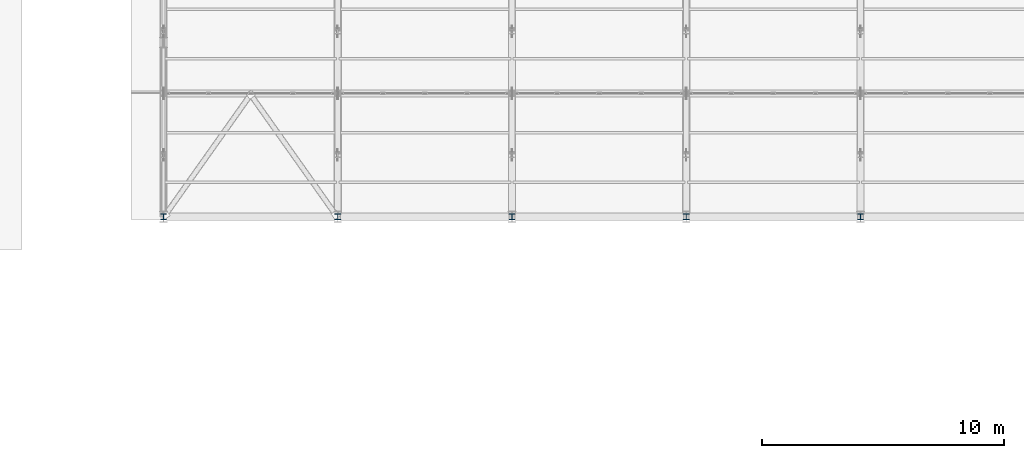
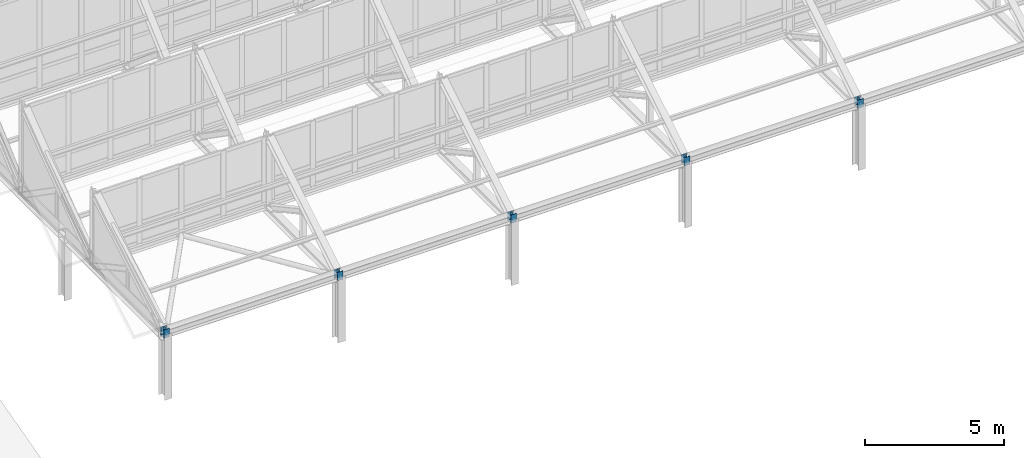
# One storey, part 93 of 157: 5 members.
"""IFC4 building model written with IfcOpenShell, lengths in metres."""

from ifc_helpers import new_model, si_unit, direction, frame, origin, origin_2d, place, context, subcontext, project, spatial, i_section, extrude, material, material_profile, profile_set, type_object, element, save


model = new_model("IFC4")

# Units and contexts
model_context = context("Model", 3, precision=1e-05, world=origin(), true_north=direction((0.0, 1.0)))
body_context = subcontext(model_context, "Body", "Model", "MODEL_VIEW")
ifc_project = project(units=[si_unit("LENGTHUNIT", "METRE"), si_unit("AREAUNIT", "SQUARE_METRE"), si_unit("VOLUMEUNIT", "CUBIC_METRE"), si_unit("PLANEANGLEUNIT", "RADIAN"), si_unit("MASSUNIT", "GRAM", prefix="KILO")], contexts=[model_context])

# Site, building, storey
site_placement = place(None, origin())
site = spatial("IfcSite", under=ifc_project, at=site_placement, CompositionType="ELEMENT")
building_placement = place(site_placement, origin())
building = spatial("IfcBuilding", under=site, at=building_placement, Name="Suanplinth Sawtooth Commons", CompositionType="ELEMENT")
storey_placement = place(building_placement, frame((0.0, 0.0, 9.0)))
storey = spatial("IfcBuildingStorey", under=building, at=storey_placement, Name="L02", CompositionType="ELEMENT", Elevation=9.0)

# Members
ifc_material = material(Name="Steel S355JR", Category="steel")
ifc_material_profile = material_profile(ifc_material, i_section(OverallWidth=0.239990234375, OverallDepth=0.239990234375, WebThickness=0.010009765625, FlangeThickness=0.01708984375, at=origin_2d()), Name="HEB 240")
ifc_profile_set = profile_set([ifc_material_profile], Name="Steel S355JR")
member_type = type_object("IfcMemberType", Name="M-05", PredefinedType="POST", material=ifc_profile_set)
for number, where, z_axis, x_axis, name in (
    (1, (64.800048828125, 50.39990234375, 2.64990234375), (0.0, 0.0, 1.0), (1.0, 0.0, 0.0), "Sawtooth Truss T1 South Eave Post"),
    (2, (72.0, 50.39990234375, 2.64990234375), (0.0, 0.0, 1.0), (1.0, 0.0, 0.0), "Sawtooth Truss T2 South Eave Post"),
    (3, (79.199951171875, 50.39990234375, 2.64990234375), (0.0, 0.0, 1.0), (1.0, 0.0, 0.0), "Sawtooth Truss T3 South Eave Post"),
    (4, (86.39990234375, 50.39990234375, 2.64990234375), (0.0, 0.0, 1.0), (1.0, 0.0, 0.0), "Sawtooth Truss T4 South Eave Post"),
    (5, (93.60009765625, 50.39990234375, 2.64990234375), (0.0, 0.0, 1.0), (1.0, 0.0, 0.0), "Sawtooth Truss T5 South Eave Post"),
):
    element("IfcMember", number, at=place(storey_placement, frame(where, z_axis=z_axis, x_axis=x_axis)), inside=storey, type_object=member_type, Name=name, PredefinedType="POST", context=body_context, shape_type="SweptSolid", body=[
        extrude(i_section(OverallWidth=0.239990234375, OverallDepth=0.239990234375, WebThickness=0.010009765625, FlangeThickness=0.01708984375, at=origin_2d()), origin(), (0.0, 0.0, 1.0), 0.3701171875),
    ])

save(model, "model.ifc")
